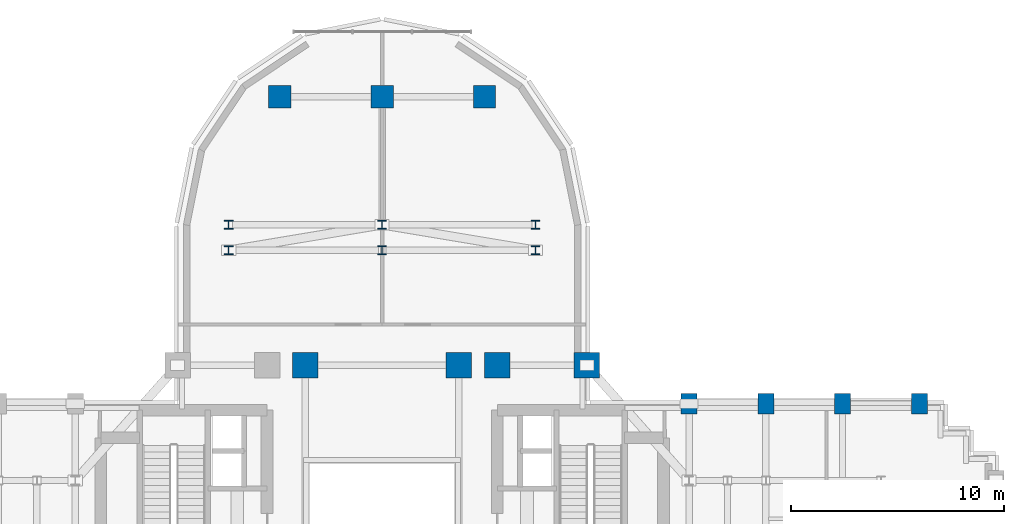
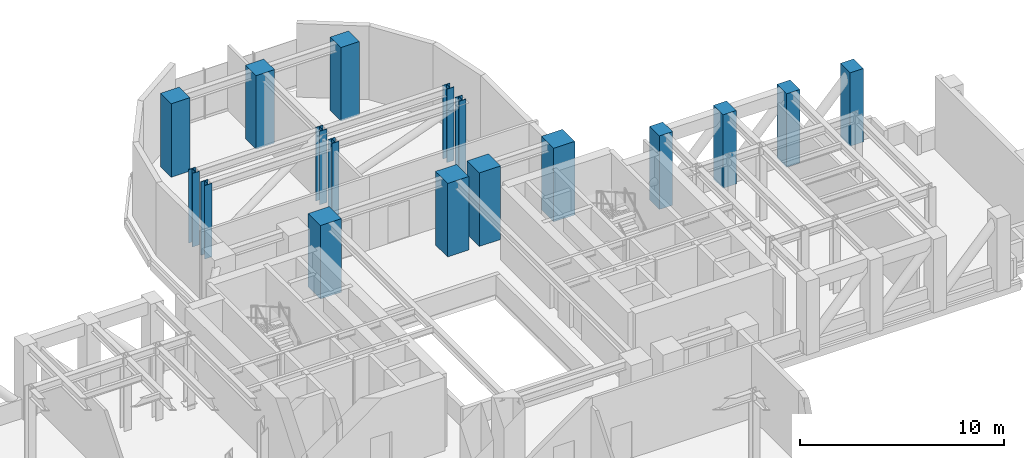
# One storey, part 2 of 15: 17 columns.
"""IFC4 building model written with IfcOpenShell, lengths in metres."""

import ifcopenshell
import ifcopenshell.guid

model = None  # the IFC model being written
_history = None  # IfcOwnerHistory: only IFC2X3 demands one
_inside = {}  # id of a spatial element -> (the spatial element, [elements in it])
_under = {}  # id of a project, library or spatial element -> (it, [spatial elements below it])
_declared = {}  # id of a project -> (the project, [libraries it declares])
_typed = {}  # id of a type object -> (the type object, [elements of that type])
_made_of = {}  # id of a material, layer set ... -> (it, [elements and type objects made of it])


def new_model(schema):
    """Start an empty IFC model of exactly this schema.

    Asked for "IFC4X3", IfcOpenShell would pick the latest addendum, in which some entities
    have other attributes; the version numbers below select the first issue.
    IFC2X3 requires an IfcOwnerHistory on every rooted entity: one is made here for all.
    """
    global model, _history
    if schema == "IFC4X3":
        model = ifcopenshell.file(schema_version=(4, 3, 0, 0))
    else:
        model = ifcopenshell.file(schema=schema)
    _inside.clear()
    _under.clear()
    _declared.clear()
    _typed.clear()
    _made_of.clear()
    _history = None
    if model.schema == "IFC2X3":
        org = make("IfcOrganization", Name="unknown")
        user = make(
            "IfcPersonAndOrganization",
            ThePerson=make("IfcPerson", FamilyName="unknown"),
            TheOrganization=org,
        )
        app = make(
            "IfcApplication",
            ApplicationDeveloper=org,
            Version="unknown",
            ApplicationFullName="unknown",
            ApplicationIdentifier="unknown",
        )
        _history = make(
            "IfcOwnerHistory",
            OwningUser=user,
            OwningApplication=app,
            ChangeAction="ADDED",
            CreationDate=0,
        )
    return model


def make(cls, **values):
    """One entity of the class cls with the attributes given. An attribute that is None is left unset."""
    return model.create_entity(
        cls, **{name: value for name, value in values.items() if value is not None}
    )


def rooted(cls, **values):
    """An entity with a GlobalId (a new one), such as an element, a storey or a relation."""
    return make(cls, GlobalId=ifcopenshell.guid.new(), OwnerHistory=_history, **values)


def si_unit(unit_type, name, prefix=None):
    """IfcSIUnit, for example si_unit("LENGTHUNIT", "METRE", prefix="MILLI")."""
    return make("IfcSIUnit", UnitType=unit_type, Prefix=prefix, Name=name)


def assignment(units):
    """IfcUnitAssignment: the units of a project."""
    return None if units is None else make("IfcUnitAssignment", Units=units)


def point(xyz):
    """IfcCartesianPoint."""
    return None if xyz is None else make("IfcCartesianPoint", Coordinates=xyz)


def direction(xyz):
    """IfcDirection."""
    return None if xyz is None else make("IfcDirection", DirectionRatios=xyz)


def frame(location, z_axis=None, x_axis=None):
    """IfcAxis2Placement3D, a coordinate frame: its origin and axes. An axis left out is left unset."""
    return make(
        "IfcAxis2Placement3D",
        Location=point(location),
        Axis=direction(z_axis),
        RefDirection=direction(x_axis),
    )


def frame_2d(location, x_axis=None):
    """IfcAxis2Placement2D, a coordinate frame in the plane: its origin and x axis."""
    return make(
        "IfcAxis2Placement2D", Location=point(location), RefDirection=direction(x_axis)
    )


def origin():
    """The frame at (0, 0, 0) with its axes left unset."""
    return frame((0.0, 0.0, 0.0))


def origin_2d():
    """The frame at (0, 0) in the plane with its x axis left unset."""
    return frame_2d((0.0, 0.0))


def place(relative_to, where):
    """IfcLocalPlacement: puts the frame where relative to a parent placement (None: the world)."""
    return make(
        "IfcLocalPlacement", PlacementRelTo=relative_to, RelativePlacement=where
    )


def context(
    kind, dimensions, precision=None, world=None, true_north=None, identifier=None
):
    """IfcGeometricRepresentationContext, for example the 3D "Model" context."""
    return make(
        "IfcGeometricRepresentationContext",
        ContextIdentifier=identifier,
        ContextType=kind,
        CoordinateSpaceDimension=dimensions,
        Precision=precision,
        WorldCoordinateSystem=world,
        TrueNorth=true_north,
    )


def subcontext(parent, identifier, kind, view, scale=None):
    """IfcGeometricRepresentationSubContext, for example "Body" below "Model"."""
    return make(
        "IfcGeometricRepresentationSubContext",
        ContextIdentifier=identifier,
        ContextType=kind,
        ParentContext=parent,
        TargetScale=scale,
        TargetView=view,
    )


def project(units=None, contexts=None):
    """IfcProject with its units and contexts."""
    return rooted(
        "IfcProject",
        Name="project",
        RepresentationContexts=contexts,
        UnitsInContext=assignment(units),
    )


def spatial(cls, under=None, at=None, **own):
    """A site, building, storey or space (cls), placed at a placement, below another one or the project."""
    s = rooted(cls, ObjectPlacement=at, **own)
    if under is not None:
        _under.setdefault(under.id(), (under, []))[1].append(s)
    return s


def profile(cls, at=None, kind="AREA", **sizes):
    """A parametric profile (cls). Its sizes go by their IFC names, for example OverallWidth=200.0."""
    return make(cls, ProfileType=kind, Position=at, **sizes)


def rectangle(**sizes):
    """IfcRectangleProfileDef."""
    return profile("IfcRectangleProfileDef", **sizes)


def i_section(**sizes):
    """IfcIShapeProfileDef."""
    return profile("IfcIShapeProfileDef", **sizes)


def extrude(swept, where, along, depth):
    """IfcExtrudedAreaSolid: the profile swept, set in the frame where, extruded along a direction by depth."""
    return make(
        "IfcExtrudedAreaSolid",
        SweptArea=swept,
        Position=where,
        ExtrudedDirection=direction(along),
        Depth=depth,
    )


def shape(context_of_items, identifier, shape_type, items):
    """IfcShapeRepresentation: the items that make up one representation, for example the "Body"."""
    return make(
        "IfcShapeRepresentation",
        ContextOfItems=context_of_items,
        RepresentationIdentifier=identifier,
        RepresentationType=shape_type,
        Items=items,
    )


def source(mapping_origin, context_of_items, identifier, shape_type, items):
    """IfcRepresentationMap: a shape defined once, which mapped items show again and again."""
    return make(
        "IfcRepresentationMap",
        MappingOrigin=mapping_origin,
        MappedRepresentation=shape(context_of_items, identifier, shape_type, items),
    )


def transform(
    local_origin,
    x_axis=None,
    y_axis=None,
    z_axis=None,
    scale=None,
    scale2=None,
    scale3=None,
    uniform=True,
):
    """IfcCartesianTransformationOperator3D, or its non-uniform kind. x_axis, y_axis, z_axis: its Axis1, 2, 3."""
    if uniform:
        return make(
            "IfcCartesianTransformationOperator3D",
            Axis1=direction(x_axis),
            Axis2=direction(y_axis),
            LocalOrigin=point(local_origin),
            Scale=scale,
            Axis3=direction(z_axis),
        )
    return make(
        "IfcCartesianTransformationOperator3DnonUniform",
        Axis1=direction(x_axis),
        Axis2=direction(y_axis),
        LocalOrigin=point(local_origin),
        Scale=scale,
        Axis3=direction(z_axis),
        Scale2=scale2,
        Scale3=scale3,
    )


def mapped(mapping_source, mapping_target):
    """IfcMappedItem: shows the shape of a source again, moved by a transform."""
    return make(
        "IfcMappedItem", MappingSource=mapping_source, MappingTarget=mapping_target
    )


def material(Name=None, Category=None):
    """IfcMaterial."""
    return make("IfcMaterial", Name=Name, Category=Category)


def material_profile(
    of_material, cross_section, Name=None, Category=None, Priority=None
):
    """IfcMaterialProfile: a cross section and its material."""
    return make(
        "IfcMaterialProfile",
        Name=Name,
        Material=of_material,
        Profile=cross_section,
        Priority=Priority,
        Category=Category,
    )


def profile_set(profiles, Name=None, composite=None):
    """IfcMaterialProfileSet."""
    return make(
        "IfcMaterialProfileSet",
        Name=Name,
        MaterialProfiles=profiles,
        CompositeProfile=composite,
    )


def made_of(thing, what):
    """Note that an element or type object is made of a material, layer set ...; save() writes the relation."""
    if what is not None:
        _made_of.setdefault(what.id(), (what, []))[1].append(thing)
    return thing


def type_object(cls, material=None, **own):
    """A type object (cls), such as IfcWallType, which elements share."""
    return made_of(rooted(cls, **own), material)


def element(
    cls,
    number,
    at=None,
    inside=None,
    cuts=None,
    type_object=None,
    material=None,
    context=None,
    identifier="Body",
    shape_type=None,
    held_by="IfcProductDefinitionShape",
    body=None,
    shapes=None,
    **own,
):
    """One element of the class cls, such as IfcWall. Its Tag is "e" and its number.

    at: its placement. inside: the storey or other place that contains it. cuts: it is an
    opening in that element (IfcRelVoidsElement). A single representation is given by context,
    identifier, shape_type and body (its items); several are given by shapes. held_by: the class
    of the entity that holds the representations. save() writes the other relations.
    """
    e = rooted(cls, Tag="e%d" % number, ObjectPlacement=at, **own)
    if body is not None:
        shapes = [shape(context, identifier, shape_type, body)]
    if shapes is not None:
        e.Representation = make(held_by, Representations=shapes)
    if inside is not None:
        _inside.setdefault(inside.id(), (inside, []))[1].append(e)
    if cuts is not None:
        rooted(
            "IfcRelVoidsElement", RelatingBuildingElement=cuts, RelatedOpeningElement=e
        )
    if type_object is not None:
        _typed.setdefault(type_object.id(), (type_object, []))[1].append(e)
    return made_of(e, material)


def aggregate(whole, parts):
    """IfcRelAggregates: a whole, such as a stair, and the parts it consists of."""
    return rooted("IfcRelAggregates", RelatingObject=whole, RelatedObjects=parts)


def save(model, path):
    """Write the relations noted so far, then the file.

    IfcRelAggregates (storeys below a building ...), IfcRelContainedInSpatialStructure (elements
    in a storey), IfcRelDefinesByType, IfcRelAssociatesMaterial and IfcRelDeclares: one each for
    every whole, place, type object, material and project.
    """
    for whole, parts in _under.values():
        aggregate(whole, parts)
    for where, things in _inside.values():
        rooted(
            "IfcRelContainedInSpatialStructure",
            RelatedElements=things,
            RelatingStructure=where,
        )
    for kind, things in _typed.values():
        rooted("IfcRelDefinesByType", RelatedObjects=things, RelatingType=kind)
    for what, things in _made_of.values():
        rooted("IfcRelAssociatesMaterial", RelatedObjects=things, RelatingMaterial=what)
    for by, libraries in _declared.values():
        rooted("IfcRelDeclares", RelatingContext=by, RelatedDefinitions=libraries)
    model.write(path)


model = new_model("IFC4")

# Units and contexts
model_context = context("Model", 3, precision=1e-05, world=origin(), true_north=direction((0.0, 1.0)))
body_context = subcontext(model_context, "Body", "Model", "MODEL_VIEW")
ifc_project = project(units=[si_unit("LENGTHUNIT", "METRE"), si_unit("AREAUNIT", "SQUARE_METRE"), si_unit("VOLUMEUNIT", "CUBIC_METRE"), si_unit("PLANEANGLEUNIT", "RADIAN"), si_unit("MASSUNIT", "GRAM", prefix="KILO")], contexts=[model_context])

# Site, building, storey
site_placement = place(None, origin())
site = spatial("IfcSite", under=ifc_project, at=site_placement, CompositionType="ELEMENT")
building_placement = place(site_placement, origin())
building = spatial("IfcBuilding", under=site, at=building_placement, Name="Keilestroom Media Tower", CompositionType="ELEMENT")
storey_placement = place(building_placement, frame((0.0, 0.0, 88.39990234375)))
storey = spatial("IfcBuildingStorey", under=building, at=storey_placement, Name="L23", CompositionType="ELEMENT", Elevation=88.39990234375)

# Columns
ifc_material_1 = material(Name="Precast concrete C40/50", Category="concrete")
ifc_material_profile_1 = material_profile(ifc_material_1, rectangle(XDim=0.75, YDim=0.949951171875, at=origin_2d()), Name="PC 950x750")
ifc_profile_set_1 = profile_set([ifc_material_profile_1], Name="Precast concrete C40/50")
column_type_1 = type_object("IfcColumnType", Name="Structural-Column-PC-950x750", PredefinedType="COLUMN", material=ifc_profile_set_1)
shared_shape_1 = source(origin(), body_context, "Body", "SweptSolid", [
    extrude(rectangle(XDim=0.75, YDim=0.949951171875, at=origin_2d()), origin(), (0.0, 0.0, 1.0), 4.400146484375),
])
for number, where, z_axis, x_axis, name in (
    (1, (14.39990234375, 7.199951171875, 0.0), (0.0, 0.0, 1.0), (1.0, 0.0, 0.0), "L23 Column PC-1 (+14.4,+7.2)"),
    (2, (18.0, 7.199951171875, 0.0), (0.0, 0.0, 1.0), (1.0, 0.0, 0.0), "L23 Column PC-1 (+18.0,+7.2)"),
    (3, (21.60009765625, 7.199951171875, 0.0), (0.0, 0.0, 1.0), (1.0, 0.0, 0.0), "L23 Column PC-1 (+21.6,+7.2)"),
    (4, (25.199951171875, 7.199951171875, 0.0), (0.0, 0.0, 1.0), (1.0, 0.0, 0.0), "L23 Column PC-1 (+25.2,+7.2)"),
):
    element("IfcColumn", number, at=place(storey_placement, frame(where, z_axis=z_axis, x_axis=x_axis)), inside=storey, type_object=column_type_1, Name=name, PredefinedType="COLUMN", context=body_context, shape_type="MappedRepresentation", body=[
        mapped(shared_shape_1, transform((0.0, 0.0, 0.0), x_axis=(1.0, 0.0, 0.0), y_axis=(0.0, 1.0, 0.0), z_axis=(0.0, 0.0, 1.0), scale=1.0)),
    ])
ifc_material_2 = material(Name="Steel S460", Category="steel")
ifc_material_profile_2 = material_profile(ifc_material_2, i_section(OverallWidth=0.404052734375, OverallDepth=0.406982421875, WebThickness=0.02197265625, FlangeThickness=0.035400390625, at=origin_2d()), Name="HD 400x347")
ifc_profile_set_2 = profile_set([ifc_material_profile_2], Name="Steel S460")
column_type_2 = type_object("IfcColumnType", Name="Structural-Column-HD-400x347", PredefinedType="COLUMN", material=ifc_profile_set_2)
shared_shape_2 = source(origin(), body_context, "Body", "SweptSolid", [
    extrude(i_section(OverallWidth=0.404052734375, OverallDepth=0.406982421875, WebThickness=0.02197265625, FlangeThickness=0.035400390625, at=origin_2d()), origin(), (0.0, 0.0, 1.0), 4.400146484375),
])
for number, where, z_axis, x_axis, name in (
    (5, (-7.199951171875, 14.39990234375, 0.0), (0.0, 0.0, 1.0), (1.0, 0.0, 0.0), "L23 Column SC-2 (-7.2,+14.4)"),
    (6, (-7.199951171875, 15.60009765625, 0.0), (0.0, 0.0, 1.0), (1.0, 0.0, 0.0), "L23 Column SC-2 (-7.2,+15.6)"),
    (7, (0.0, 14.39990234375, 0.0), (0.0, 0.0, 1.0), (1.0, 0.0, 0.0), "L23 Column SC-2 (+0.0,+14.4)"),
    (8, (0.0, 15.60009765625, 0.0), (0.0, 0.0, 1.0), (1.0, 0.0, 0.0), "L23 Column SC-2 (+0.0,+15.6)"),
    (9, (7.199951171875, 14.39990234375, 0.0), (0.0, 0.0, 1.0), (1.0, 0.0, 0.0), "L23 Column SC-2 (+7.2,+14.4)"),
    (10, (7.199951171875, 15.60009765625, 0.0), (0.0, 0.0, 1.0), (1.0, 0.0, 0.0), "L23 Column SC-2 (+7.2,+15.6)"),
):
    element("IfcColumn", number, at=place(storey_placement, frame(where, z_axis=z_axis, x_axis=x_axis)), inside=storey, type_object=column_type_2, Name=name, PredefinedType="COLUMN", context=body_context, shape_type="MappedRepresentation", body=[
        mapped(shared_shape_2, transform((0.0, 0.0, 0.0), x_axis=(1.0, 0.0, 0.0), y_axis=(0.0, 1.0, 0.0), z_axis=(0.0, 0.0, 1.0), scale=1.0)),
    ])
ifc_material_3 = material(Name="Concrete C70/85", Category="concrete")
ifc_material_profile_3 = material_profile(ifc_material_3, rectangle(XDim=1.199951171875, YDim=1.199951171875, at=origin_2d()), Name="RC 1200x1200")
ifc_profile_set_3 = profile_set([ifc_material_profile_3], Name="Concrete C70/85")
column_type_3 = type_object("IfcColumnType", Name="Structural-Column-RC-1200x1200", PredefinedType="COLUMN", material=ifc_profile_set_3)
shared_shape_3 = source(origin(), body_context, "Body", "SweptSolid", [
    extrude(rectangle(XDim=1.199951171875, YDim=1.199951171875, at=origin_2d()), origin(), (0.0, 0.0, 1.0), 4.400146484375),
])
for number, where, z_axis, x_axis, name in (
    (11, (-3.60009765625, 9.0, 0.0), (0.0, 0.0, 1.0), (1.0, 0.0, 0.0), "L23 Column MC-2 (-3.6,+9.0)"),
    (12, (3.60009765625, 9.0, 0.0), (0.0, 0.0, 1.0), (1.0, 0.0, 0.0), "L23 Column MC-2 (+3.6,+9.0)"),
    (13, (5.39990234375, 9.0, 0.0), (0.0, 0.0, 1.0), (1.0, 0.0, 0.0), "L23 Column MC-2 (+5.4,+9.0)"),
    (14, (9.60009765625, 9.0, 0.0), (0.0, 0.0, 1.0), (1.0, 0.0, 0.0), "L23 Column MC-2 (+9.6,+9.0)"),
):
    element("IfcColumn", number, at=place(storey_placement, frame(where, z_axis=z_axis, x_axis=x_axis)), inside=storey, type_object=column_type_3, Name=name, PredefinedType="COLUMN", context=body_context, shape_type="MappedRepresentation", body=[
        mapped(shared_shape_3, transform((0.0, 0.0, 0.0), x_axis=(1.0, 0.0, 0.0), y_axis=(0.0, 1.0, 0.0), z_axis=(0.0, 0.0, 1.0), scale=1.0)),
    ])
ifc_material_4 = material(Name="Concrete C55/67", Category="concrete")
ifc_material_profile_4 = material_profile(ifc_material_4, rectangle(XDim=1.050048828125, YDim=1.050048828125, at=origin_2d()), Name="RC 1050x1050")
ifc_profile_set_4 = profile_set([ifc_material_profile_4], Name="Concrete C55/67")
column_type_4 = type_object("IfcColumnType", Name="Structural-Column-RC-1050x1050", PredefinedType="COLUMN", material=ifc_profile_set_4)
shared_shape_4 = source(origin(), body_context, "Body", "SweptSolid", [
    extrude(rectangle(XDim=1.050048828125, YDim=1.050048828125, at=origin_2d()), origin(), (0.0, 0.0, 1.0), 4.400146484375),
])
for number, where, z_axis, x_axis, name in (
    (15, (-4.800048828125, 21.60009765625, 0.0), (0.0, 0.0, 1.0), (1.0, 0.0, 0.0), "L23 Column MC-3 (-4.8,+21.6)"),
    (16, (0.0, 21.60009765625, 0.0), (0.0, 0.0, 1.0), (1.0, 0.0, 0.0), "L23 Column MC-3 (+0.0,+21.6)"),
    (17, (4.800048828125, 21.60009765625, 0.0), (0.0, 0.0, 1.0), (1.0, 0.0, 0.0), "L23 Column MC-3 (+4.8,+21.6)"),
):
    element("IfcColumn", number, at=place(storey_placement, frame(where, z_axis=z_axis, x_axis=x_axis)), inside=storey, type_object=column_type_4, Name=name, PredefinedType="COLUMN", context=body_context, shape_type="MappedRepresentation", body=[
        mapped(shared_shape_4, transform((0.0, 0.0, 0.0), x_axis=(1.0, 0.0, 0.0), y_axis=(0.0, 1.0, 0.0), z_axis=(0.0, 0.0, 1.0), scale=1.0)),
    ])

save(model, "model.ifc")
